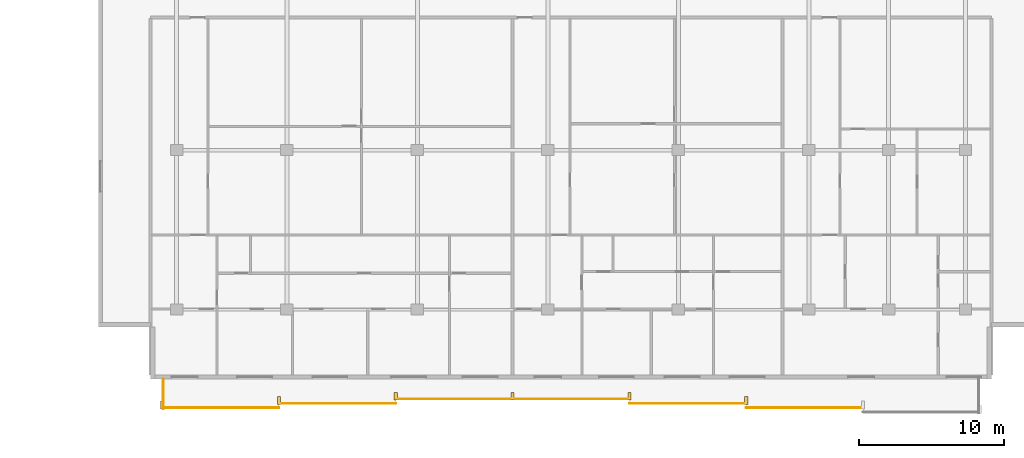
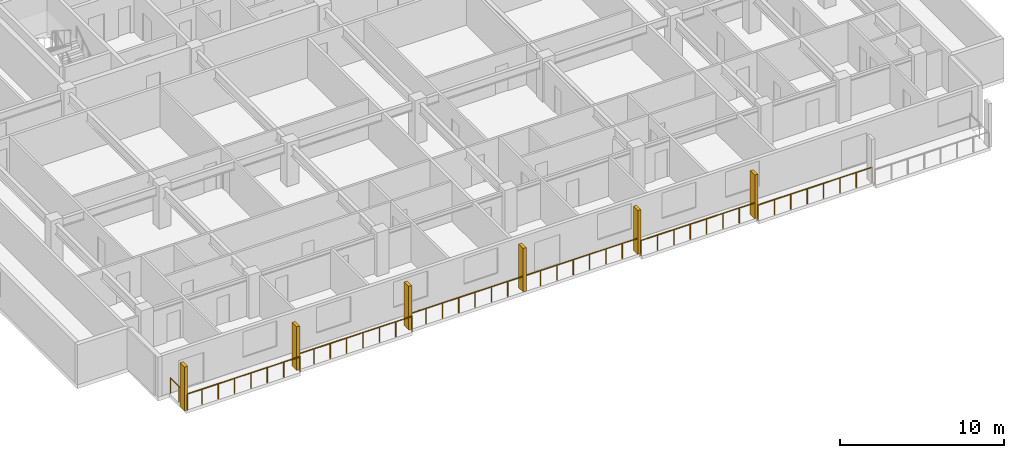
# One storey, part 18 of 22: 6 railings, 6 shading devices.
"""IFC4 building model written with IfcOpenShell, lengths in metres."""

import ifcopenshell
import ifcopenshell.guid

model = None  # the IFC model being written
_history = None  # IfcOwnerHistory: only IFC2X3 demands one
_inside = {}  # id of a spatial element -> (the spatial element, [elements in it])
_under = {}  # id of a project, library or spatial element -> (it, [spatial elements below it])
_declared = {}  # id of a project -> (the project, [libraries it declares])
_typed = {}  # id of a type object -> (the type object, [elements of that type])
_made_of = {}  # id of a material, layer set ... -> (it, [elements and type objects made of it])


def new_model(schema):
    """Start an empty IFC model of exactly this schema.

    Asked for "IFC4X3", IfcOpenShell would pick the latest addendum, in which some entities
    have other attributes; the version numbers below select the first issue.
    IFC2X3 requires an IfcOwnerHistory on every rooted entity: one is made here for all.
    """
    global model, _history
    if schema == "IFC4X3":
        model = ifcopenshell.file(schema_version=(4, 3, 0, 0))
    else:
        model = ifcopenshell.file(schema=schema)
    _inside.clear()
    _under.clear()
    _declared.clear()
    _typed.clear()
    _made_of.clear()
    _history = None
    if model.schema == "IFC2X3":
        org = make("IfcOrganization", Name="unknown")
        user = make(
            "IfcPersonAndOrganization",
            ThePerson=make("IfcPerson", FamilyName="unknown"),
            TheOrganization=org,
        )
        app = make(
            "IfcApplication",
            ApplicationDeveloper=org,
            Version="unknown",
            ApplicationFullName="unknown",
            ApplicationIdentifier="unknown",
        )
        _history = make(
            "IfcOwnerHistory",
            OwningUser=user,
            OwningApplication=app,
            ChangeAction="ADDED",
            CreationDate=0,
        )
    return model


def make(cls, **values):
    """One entity of the class cls with the attributes given. An attribute that is None is left unset."""
    return model.create_entity(
        cls, **{name: value for name, value in values.items() if value is not None}
    )


def rooted(cls, **values):
    """An entity with a GlobalId (a new one), such as an element, a storey or a relation."""
    return make(cls, GlobalId=ifcopenshell.guid.new(), OwnerHistory=_history, **values)


def si_unit(unit_type, name, prefix=None):
    """IfcSIUnit, for example si_unit("LENGTHUNIT", "METRE", prefix="MILLI")."""
    return make("IfcSIUnit", UnitType=unit_type, Prefix=prefix, Name=name)


def assignment(units):
    """IfcUnitAssignment: the units of a project."""
    return None if units is None else make("IfcUnitAssignment", Units=units)


def point(xyz):
    """IfcCartesianPoint."""
    return None if xyz is None else make("IfcCartesianPoint", Coordinates=xyz)


def direction(xyz):
    """IfcDirection."""
    return None if xyz is None else make("IfcDirection", DirectionRatios=xyz)


def frame(location, z_axis=None, x_axis=None):
    """IfcAxis2Placement3D, a coordinate frame: its origin and axes. An axis left out is left unset."""
    return make(
        "IfcAxis2Placement3D",
        Location=point(location),
        Axis=direction(z_axis),
        RefDirection=direction(x_axis),
    )


def frame_2d(location, x_axis=None):
    """IfcAxis2Placement2D, a coordinate frame in the plane: its origin and x axis."""
    return make(
        "IfcAxis2Placement2D", Location=point(location), RefDirection=direction(x_axis)
    )


def origin():
    """The frame at (0, 0, 0) with its axes left unset."""
    return frame((0.0, 0.0, 0.0))


def origin_2d():
    """The frame at (0, 0) in the plane with its x axis left unset."""
    return frame_2d((0.0, 0.0))


def place(relative_to, where):
    """IfcLocalPlacement: puts the frame where relative to a parent placement (None: the world)."""
    return make(
        "IfcLocalPlacement", PlacementRelTo=relative_to, RelativePlacement=where
    )


def context(
    kind, dimensions, precision=None, world=None, true_north=None, identifier=None
):
    """IfcGeometricRepresentationContext, for example the 3D "Model" context."""
    return make(
        "IfcGeometricRepresentationContext",
        ContextIdentifier=identifier,
        ContextType=kind,
        CoordinateSpaceDimension=dimensions,
        Precision=precision,
        WorldCoordinateSystem=world,
        TrueNorth=true_north,
    )


def subcontext(parent, identifier, kind, view, scale=None):
    """IfcGeometricRepresentationSubContext, for example "Body" below "Model"."""
    return make(
        "IfcGeometricRepresentationSubContext",
        ContextIdentifier=identifier,
        ContextType=kind,
        ParentContext=parent,
        TargetScale=scale,
        TargetView=view,
    )


def project(units=None, contexts=None):
    """IfcProject with its units and contexts."""
    return rooted(
        "IfcProject",
        Name="project",
        RepresentationContexts=contexts,
        UnitsInContext=assignment(units),
    )


def spatial(cls, under=None, at=None, **own):
    """A site, building, storey or space (cls), placed at a placement, below another one or the project."""
    s = rooted(cls, ObjectPlacement=at, **own)
    if under is not None:
        _under.setdefault(under.id(), (under, []))[1].append(s)
    return s


def profile(cls, at=None, kind="AREA", **sizes):
    """A parametric profile (cls). Its sizes go by their IFC names, for example OverallWidth=200.0."""
    return make(cls, ProfileType=kind, Position=at, **sizes)


def rectangle(**sizes):
    """IfcRectangleProfileDef."""
    return profile("IfcRectangleProfileDef", **sizes)


def circle(**sizes):
    """IfcCircleProfileDef."""
    return profile("IfcCircleProfileDef", **sizes)


def extrude(swept, where, along, depth):
    """IfcExtrudedAreaSolid: the profile swept, set in the frame where, extruded along a direction by depth."""
    return make(
        "IfcExtrudedAreaSolid",
        SweptArea=swept,
        Position=where,
        ExtrudedDirection=direction(along),
        Depth=depth,
    )


def shape(context_of_items, identifier, shape_type, items):
    """IfcShapeRepresentation: the items that make up one representation, for example the "Body"."""
    return make(
        "IfcShapeRepresentation",
        ContextOfItems=context_of_items,
        RepresentationIdentifier=identifier,
        RepresentationType=shape_type,
        Items=items,
    )


def material(Name=None, Category=None):
    """IfcMaterial."""
    return make("IfcMaterial", Name=Name, Category=Category)


def made_of(thing, what):
    """Note that an element or type object is made of a material, layer set ...; save() writes the relation."""
    if what is not None:
        _made_of.setdefault(what.id(), (what, []))[1].append(thing)
    return thing


def type_object(cls, material=None, **own):
    """A type object (cls), such as IfcWallType, which elements share."""
    return made_of(rooted(cls, **own), material)


def element(
    cls,
    number,
    at=None,
    inside=None,
    cuts=None,
    type_object=None,
    material=None,
    context=None,
    identifier="Body",
    shape_type=None,
    held_by="IfcProductDefinitionShape",
    body=None,
    shapes=None,
    **own,
):
    """One element of the class cls, such as IfcWall. Its Tag is "e" and its number.

    at: its placement. inside: the storey or other place that contains it. cuts: it is an
    opening in that element (IfcRelVoidsElement). A single representation is given by context,
    identifier, shape_type and body (its items); several are given by shapes. held_by: the class
    of the entity that holds the representations. save() writes the other relations.
    """
    e = rooted(cls, Tag="e%d" % number, ObjectPlacement=at, **own)
    if body is not None:
        shapes = [shape(context, identifier, shape_type, body)]
    if shapes is not None:
        e.Representation = make(held_by, Representations=shapes)
    if inside is not None:
        _inside.setdefault(inside.id(), (inside, []))[1].append(e)
    if cuts is not None:
        rooted(
            "IfcRelVoidsElement", RelatingBuildingElement=cuts, RelatedOpeningElement=e
        )
    if type_object is not None:
        _typed.setdefault(type_object.id(), (type_object, []))[1].append(e)
    return made_of(e, material)


def aggregate(whole, parts):
    """IfcRelAggregates: a whole, such as a stair, and the parts it consists of."""
    return rooted("IfcRelAggregates", RelatingObject=whole, RelatedObjects=parts)


def save(model, path):
    """Write the relations noted so far, then the file.

    IfcRelAggregates (storeys below a building ...), IfcRelContainedInSpatialStructure (elements
    in a storey), IfcRelDefinesByType, IfcRelAssociatesMaterial and IfcRelDeclares: one each for
    every whole, place, type object, material and project.
    """
    for whole, parts in _under.values():
        aggregate(whole, parts)
    for where, things in _inside.values():
        rooted(
            "IfcRelContainedInSpatialStructure",
            RelatedElements=things,
            RelatingStructure=where,
        )
    for kind, things in _typed.values():
        rooted("IfcRelDefinesByType", RelatedObjects=things, RelatingType=kind)
    for what, things in _made_of.values():
        rooted("IfcRelAssociatesMaterial", RelatedObjects=things, RelatingMaterial=what)
    for by, libraries in _declared.values():
        rooted("IfcRelDeclares", RelatingContext=by, RelatedDefinitions=libraries)
    model.write(path)


model = new_model("IFC4")

# Units and contexts
model_context = context("Model", 3, precision=1e-05, world=origin(), true_north=direction((0.0, 1.0)))
body_context = subcontext(model_context, "Body", "Model", "MODEL_VIEW")
ifc_project = project(units=[si_unit("LENGTHUNIT", "METRE"), si_unit("AREAUNIT", "SQUARE_METRE"), si_unit("VOLUMEUNIT", "CUBIC_METRE"), si_unit("PLANEANGLEUNIT", "RADIAN"), si_unit("MASSUNIT", "GRAM", prefix="KILO")], contexts=[model_context])

# Site, building, storey
site_placement = place(None, origin())
site = spatial("IfcSite", under=ifc_project, at=site_placement, CompositionType="ELEMENT")
building_placement = place(site_placement, origin())
building = spatial("IfcBuilding", under=site, at=building_placement, Name="Korimba Cascade Residences", CompositionType="ELEMENT")
storey_placement = place(building_placement, frame((0.0, 0.0, 129.550048828125)))
storey = spatial("IfcBuildingStorey", under=building, at=storey_placement, Name="L37", CompositionType="ELEMENT", Elevation=129.550048828125)

# Railings
ifc_material_1 = material(Name="Laminated Glass and Bronze Balustrade", Category="glass")
railing_type = type_object("IfcRailingType", Name="RLG-LOG-1150", PredefinedType="BALUSTRADE", material=ifc_material_1)
for number, where, name in (
    (1, (73.5, -10.969970703125, 0.0), "L37 Perimeter Guardrail RLG-L37-T2-LOG-01"),
    (2, (81.55712890625, -10.669921875, 0.0), "L37 Perimeter Guardrail RLG-L37-T2-LOG-02"),
):
    element("IfcRailing", number, at=place(storey_placement, frame(where)), inside=storey, type_object=railing_type, Name=name, PredefinedType="BALUSTRADE", context=body_context, shape_type="SweptSolid", body=[
        extrude(circle(Radius=0.02392578125, at=origin_2d()), frame((0.0, 0.0, 1.1259765625), z_axis=(1.0, 0.0, 0.0), x_axis=(0.0, 1.0, 0.0)), (0.0, 0.0, 1.0), 8.05712890625),
        extrude(circle(Radius=0.02099609375, at=origin_2d()), origin(), (0.0, 0.0, 1.0), 1.101806640625),
        extrude(circle(Radius=0.02099609375, at=origin_2d()), frame((1.151123046875, 0.0, 0.0)), (0.0, 0.0, 1.0), 1.101806640625),
        extrude(circle(Radius=0.02099609375, at=origin_2d()), frame((2.302001953125, 0.0, 0.0)), (0.0, 0.0, 1.0), 1.101806640625),
        extrude(circle(Radius=0.02099609375, at=origin_2d()), frame((3.453125, 0.0, 0.0)), (0.0, 0.0, 1.0), 1.101806640625),
        extrude(circle(Radius=0.02099609375, at=origin_2d()), frame((4.60400390625, 0.0, 0.0)), (0.0, 0.0, 1.0), 1.101806640625),
        extrude(circle(Radius=0.02099609375, at=origin_2d()), frame((5.755126953125, 0.0, 0.0)), (0.0, 0.0, 1.0), 1.101806640625),
        extrude(circle(Radius=0.02099609375, at=origin_2d()), frame((6.906005859375, 0.0, 0.0)), (0.0, 0.0, 1.0), 1.101806640625),
        extrude(circle(Radius=0.02099609375, at=origin_2d()), frame((8.05712890625, 0.0, 0.0)), (0.0, 0.0, 1.0), 1.101806640625),
    ])
railing_1_placement = place(storey_placement, frame((89.6142578125, -10.3701171875, 0.0)))
element("IfcRailing", 3, at=railing_1_placement, inside=storey, type_object=railing_type, Name="L37 Perimeter Guardrail RLG-L37-T2-LOG-03", PredefinedType="BALUSTRADE", context=body_context, shape_type="SweptSolid", body=[
    extrude(circle(Radius=0.02392578125, at=origin_2d()), frame((0.0, 0.0, 1.1259765625), z_axis=(1.0, 0.0, 0.0), x_axis=(0.0, 1.0, 0.0)), (0.0, 0.0, 1.0), 16.1142578125),
    extrude(circle(Radius=0.02099609375, at=origin_2d()), origin(), (0.0, 0.0, 1.0), 1.101806640625),
    extrude(circle(Radius=0.02099609375, at=origin_2d()), frame((1.151123046875, 0.0, 0.0)), (0.0, 0.0, 1.0), 1.101806640625),
    extrude(circle(Radius=0.02099609375, at=origin_2d()), frame((2.302001953125, 0.0, 0.0)), (0.0, 0.0, 1.0), 1.101806640625),
    extrude(circle(Radius=0.02099609375, at=origin_2d()), frame((3.453125, 0.0, 0.0)), (0.0, 0.0, 1.0), 1.101806640625),
    extrude(circle(Radius=0.02099609375, at=origin_2d()), frame((4.60400390625, 0.0, 0.0)), (0.0, 0.0, 1.0), 1.101806640625),
    extrude(circle(Radius=0.02099609375, at=origin_2d()), frame((5.755126953125, 0.0, 0.0)), (0.0, 0.0, 1.0), 1.101806640625),
    extrude(circle(Radius=0.02099609375, at=origin_2d()), frame((6.906005859375, 0.0, 0.0)), (0.0, 0.0, 1.0), 1.101806640625),
    extrude(circle(Radius=0.02099609375, at=origin_2d()), frame((8.05712890625, 0.0, 0.0)), (0.0, 0.0, 1.0), 1.101806640625),
    extrude(circle(Radius=0.02099609375, at=origin_2d()), frame((9.208251953125, 0.0, 0.0)), (0.0, 0.0, 1.0), 1.101806640625),
    extrude(circle(Radius=0.02099609375, at=origin_2d()), frame((10.359130859375, 0.0, 0.0)), (0.0, 0.0, 1.0), 1.101806640625),
    extrude(circle(Radius=0.02099609375, at=origin_2d()), frame((11.51025390625, 0.0, 0.0)), (0.0, 0.0, 1.0), 1.101806640625),
    extrude(circle(Radius=0.02099609375, at=origin_2d()), frame((12.6611328125, 0.0, 0.0)), (0.0, 0.0, 1.0), 1.101806640625),
    extrude(circle(Radius=0.02099609375, at=origin_2d()), frame((13.812255859375, 0.0, 0.0)), (0.0, 0.0, 1.0), 1.101806640625),
    extrude(circle(Radius=0.02099609375, at=origin_2d()), frame((14.963134765625, 0.0, 0.0)), (0.0, 0.0, 1.0), 1.101806640625),
    extrude(circle(Radius=0.02099609375, at=origin_2d()), frame((16.1142578125, 0.0, 0.0)), (0.0, 0.0, 1.0), 1.101806640625),
])
railing_2_placement = place(storey_placement, frame((105.728515625, -10.669921875, 0.0)))
element("IfcRailing", 4, at=railing_2_placement, inside=storey, type_object=railing_type, Name="L37 Perimeter Guardrail RLG-L37-T2-LOG-04", PredefinedType="BALUSTRADE", context=body_context, shape_type="SweptSolid", body=[
    extrude(circle(Radius=0.02392578125, at=origin_2d()), frame((0.0, 0.0, 1.1259765625), z_axis=(1.0, 0.0, 0.0), x_axis=(0.0, 1.0, 0.0)), (0.0, 0.0, 1.0), 8.05712890625),
    extrude(circle(Radius=0.02099609375, at=origin_2d()), origin(), (0.0, 0.0, 1.0), 1.101806640625),
    extrude(circle(Radius=0.02099609375, at=origin_2d()), frame((1.151123046875, 0.0, 0.0)), (0.0, 0.0, 1.0), 1.101806640625),
    extrude(circle(Radius=0.02099609375, at=origin_2d()), frame((2.302001953125, 0.0, 0.0)), (0.0, 0.0, 1.0), 1.101806640625),
    extrude(circle(Radius=0.02099609375, at=origin_2d()), frame((3.453125, 0.0, 0.0)), (0.0, 0.0, 1.0), 1.101806640625),
    extrude(circle(Radius=0.02099609375, at=origin_2d()), frame((4.60400390625, 0.0, 0.0)), (0.0, 0.0, 1.0), 1.101806640625),
    extrude(circle(Radius=0.02099609375, at=origin_2d()), frame((5.755126953125, 0.0, 0.0)), (0.0, 0.0, 1.0), 1.101806640625),
    extrude(circle(Radius=0.02099609375, at=origin_2d()), frame((6.906005859375, 0.0, 0.0)), (0.0, 0.0, 1.0), 1.101806640625),
    extrude(circle(Radius=0.02099609375, at=origin_2d()), frame((8.05712890625, 0.0, 0.0)), (0.0, 0.0, 1.0), 1.101806640625),
])
railing_3_placement = place(storey_placement, frame((113.78564453125, -10.969970703125, 0.0)))
element("IfcRailing", 5, at=railing_3_placement, inside=storey, type_object=railing_type, Name="L37 Perimeter Guardrail RLG-L37-T2-LOG-05", PredefinedType="BALUSTRADE", context=body_context, shape_type="SweptSolid", body=[
    extrude(circle(Radius=0.02392578125, at=origin_2d()), frame((0.0, 0.0, 1.1259765625), z_axis=(1.0, 0.0, 0.0), x_axis=(0.0, 1.0, 0.0)), (0.0, 0.0, 1.0), 8.057373046875),
    extrude(circle(Radius=0.02099609375, at=origin_2d()), origin(), (0.0, 0.0, 1.0), 1.101806640625),
    extrude(circle(Radius=0.02099609375, at=origin_2d()), frame((1.151123046875, 0.0, 0.0)), (0.0, 0.0, 1.0), 1.101806640625),
    extrude(circle(Radius=0.02099609375, at=origin_2d()), frame((2.302001953125, 0.0, 0.0)), (0.0, 0.0, 1.0), 1.101806640625),
    extrude(circle(Radius=0.02099609375, at=origin_2d()), frame((3.453125, 0.0, 0.0)), (0.0, 0.0, 1.0), 1.101806640625),
    extrude(circle(Radius=0.02099609375, at=origin_2d()), frame((4.604248046875, 0.0, 0.0)), (0.0, 0.0, 1.0), 1.101806640625),
    extrude(circle(Radius=0.02099609375, at=origin_2d()), frame((5.75537109375, 0.0, 0.0)), (0.0, 0.0, 1.0), 1.101806640625),
    extrude(circle(Radius=0.02099609375, at=origin_2d()), frame((6.90625, 0.0, 0.0)), (0.0, 0.0, 1.0), 1.101806640625),
    extrude(circle(Radius=0.02099609375, at=origin_2d()), frame((8.057373046875, 0.0, 0.0)), (0.0, 0.0, 1.0), 1.101806640625),
])
railing_4_placement = place(storey_placement, frame((73.580078125, -9.0, 0.0)))
element("IfcRailing", 6, at=railing_4_placement, inside=storey, type_object=railing_type, Name="L37 Perimeter Guardrail RLG-L37-T2-LOG-08", PredefinedType="BALUSTRADE", context=body_context, shape_type="SweptSolid", body=[
    extrude(circle(Radius=0.02392578125, at=origin_2d()), frame((0.0, 0.0, 1.1259765625), z_axis=(0.0, -1.0, 0.0), x_axis=(1.0, 0.0, 0.0)), (0.0, 0.0, 1.0), 2.050048828125),
    extrude(circle(Radius=0.02099609375, at=origin_2d()), origin(), (0.0, 0.0, 1.0), 1.101806640625),
    extrude(circle(Radius=0.02099609375, at=origin_2d()), frame((0.0, -1.02490234375, 0.0)), (0.0, 0.0, 1.0), 1.101806640625),
    extrude(circle(Radius=0.02099609375, at=origin_2d()), frame((0.0, -2.050048828125, 0.0)), (0.0, 0.0, 1.0), 1.101806640625),
])

# Shading devices
ifc_material_2 = material(Name="Honed Sandstone Precast Fin", Category="masonry")
shading_device_type = type_object("IfcShadingDeviceType", Name="SHD-FIN-550", PredefinedType="USERDEFINED", material=ifc_material_2)
for number, where, z_axis, x_axis, name in (
    (7, (73.5, -10.77490234375, 0.0), (0.0, 0.0, 1.0), (1.0, 0.0, 0.0), "L37 T2 Warm-Stone Loggia Fin 1"),
    (8, (81.55712890625, -10.47509765625, 0.0), (0.0, 0.0, 1.0), (1.0, 0.0, 0.0), "L37 T2 Warm-Stone Loggia Fin 2"),
    (9, (89.6142578125, -10.175048828125, 0.0), (0.0, 0.0, 1.0), (1.0, 0.0, 0.0), "L37 T2 Warm-Stone Loggia Fin 3"),
    (10, (97.67138671875, -10.175048828125, 0.0), (0.0, 0.0, 1.0), (1.0, 0.0, 0.0), "L37 T2 Warm-Stone Loggia Fin 4"),
    (11, (105.728515625, -10.175048828125, 0.0), (0.0, 0.0, 1.0), (1.0, 0.0, 0.0), "L37 T2 Warm-Stone Loggia Fin 5"),
    (12, (113.78564453125, -10.47509765625, 0.0), (0.0, 0.0, 1.0), (1.0, 0.0, 0.0), "L37 T2 Warm-Stone Loggia Fin 6"),
):
    element("IfcShadingDevice", number, at=place(storey_placement, frame(where, z_axis=z_axis, x_axis=x_axis)), inside=storey, type_object=shading_device_type, Name=name, ObjectType="FIN", PredefinedType="USERDEFINED", context=body_context, shape_type="SweptSolid", body=[
        extrude(rectangle(XDim=0.219970703125, YDim=0.550048828125, at=origin_2d()), origin(), (0.0, 0.0, 1.0), 3.25),
    ])

save(model, "model.ifc")
